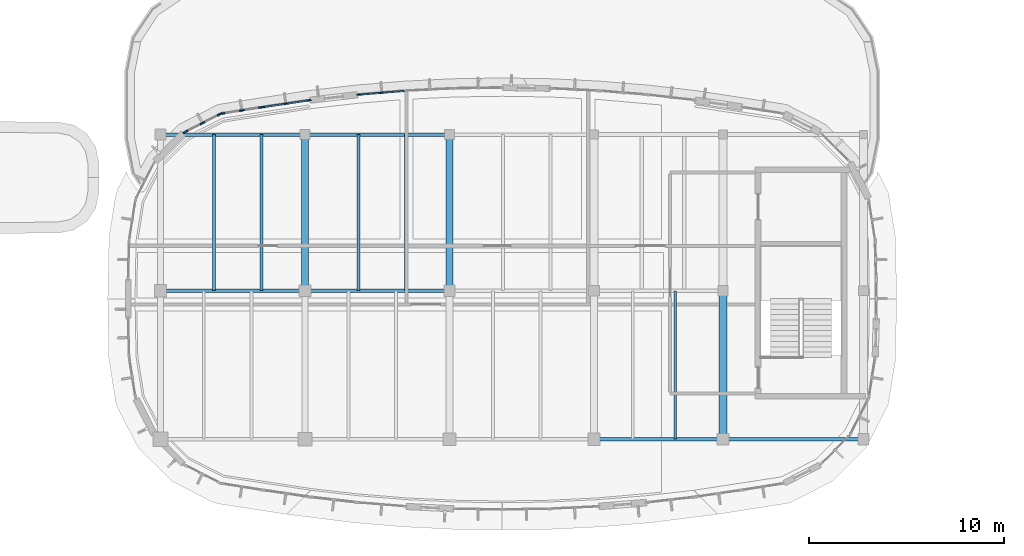
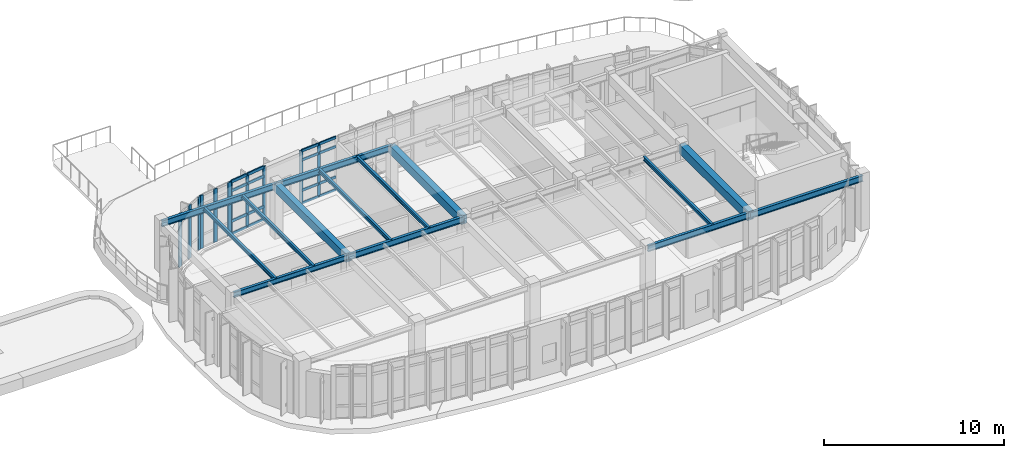
# One storey, part 30 of 111: 27 members, 14 beams, 4 elements without a shape of their own.
"""IFC4 building model written with IfcOpenShell, lengths in metres."""

from ifc_helpers import new_model, si_unit, direction, frame, origin, origin_2d, place, context, subcontext, project, spatial, rectangle, i_section, extrude, material, material_profile, profile_set, type_object, element, aggregate, save


model = new_model("IFC4")

# Units and contexts
model_context = context("Model", 3, precision=1e-05, world=origin(), true_north=direction((0.0, 1.0)))
body_context = subcontext(model_context, "Body", "Model", "MODEL_VIEW")
ifc_project = project(units=[si_unit("LENGTHUNIT", "METRE"), si_unit("AREAUNIT", "SQUARE_METRE"), si_unit("VOLUMEUNIT", "CUBIC_METRE"), si_unit("PLANEANGLEUNIT", "RADIAN"), si_unit("MASSUNIT", "GRAM", prefix="KILO")], contexts=[model_context])

# Site, building, storey
site_placement = place(None, origin())
site = spatial("IfcSite", under=ifc_project, at=site_placement, CompositionType="ELEMENT")
building_placement = place(site_placement, origin())
building = spatial("IfcBuilding", under=site, at=building_placement, Name="Corveleigh Park Community Centre", CompositionType="ELEMENT")
storey_placement = place(building_placement, frame((0.0, 0.0, 4.800048828125)))
storey = spatial("IfcBuildingStorey", under=building, at=storey_placement, Name="L01", CompositionType="ELEMENT", Elevation=4.800048828125)

# Beams
ifc_material_1 = material(Name="Concrete C40/50", Category="concrete")
ifc_material_profile_1 = material_profile(ifc_material_1, rectangle(XDim=0.35009765625, YDim=0.550048828125, at=origin_2d()), Name="RC-350x550", Category="concrete")
ifc_profile_set_1 = profile_set([ifc_material_profile_1], Name="Concrete C40/50")
beam_type_1 = type_object("IfcBeamType", Name="BM-RC-350x550", PredefinedType="BEAM", material=ifc_profile_set_1)
beam_1_placement = place(storey_placement, frame((79.39990234375, 18.804931640625, 3.3818359375), z_axis=(0.0, 1.0, 0.0), x_axis=(-1.0, 0.0, 0.0)))
element("IfcBeam", 1, at=beam_1_placement, inside=storey, type_object=beam_type_1, Name="V3 Girder Y", PredefinedType="BEAM", context=body_context, shape_type="SweptSolid", body=[
    extrude(rectangle(XDim=0.35009765625, YDim=0.550048828125, at=origin_2d()), origin(), (0.0, 0.0, 1.0), 7.989990234375),
])
ifc_material_profile_2 = material_profile(ifc_material_1, rectangle(XDim=0.375, YDim=0.574951171875, at=origin_2d()), Name="RC-375x575", Category="concrete")
ifc_profile_set_2 = profile_set([ifc_material_profile_2], Name="Concrete C40/50")
beam_type_2 = type_object("IfcBeamType", Name="BM-RC-375x575", PredefinedType="BEAM", material=ifc_profile_set_2)
beam_2_placement = place(storey_placement, frame((86.800048828125, 18.804931640625, 3.369384765625), z_axis=(0.0, 1.0, 0.0), x_axis=(-1.0, 0.0, 0.0)))
element("IfcBeam", 2, at=beam_2_placement, inside=storey, type_object=beam_type_2, Name="V3 Girder Y", PredefinedType="BEAM", context=body_context, shape_type="SweptSolid", body=[
    extrude(rectangle(XDim=0.375, YDim=0.574951171875, at=origin_2d()), origin(), (0.0, 0.0, 1.0), 7.989990234375),
])
ifc_material_profile_3 = material_profile(ifc_material_1, rectangle(XDim=0.39990234375, YDim=0.60009765625, at=origin_2d()), Name="RC-400x600", Category="concrete")
ifc_profile_set_3 = profile_set([ifc_material_profile_3], Name="Concrete C40/50")
beam_type_3 = type_object("IfcBeamType", Name="BM-RC-400x600", PredefinedType="BEAM", material=ifc_profile_set_3)
beam_3_placement = place(storey_placement, frame((100.800048828125, 11.205078125, 3.35693359375), z_axis=(0.0, 1.0, 0.0), x_axis=(-1.0, 0.0, 0.0)))
element("IfcBeam", 3, at=beam_3_placement, inside=storey, type_object=beam_type_3, Name="V3 Girder Y", PredefinedType="BEAM", context=body_context, shape_type="SweptSolid", body=[
    extrude(rectangle(XDim=0.39990234375, YDim=0.60009765625, at=origin_2d()), origin(), (0.0, 0.0, 1.0), 7.58984375),
])
ifc_material_2 = material(Name="Steel S355", Category="steel")
ifc_material_profile_4 = material_profile(ifc_material_2, i_section(OverallWidth=0.14599609375, OverallDepth=0.25146484375, WebThickness=0.006103515625, FlangeThickness=0.008544921875, at=origin_2d()), Name="UKB 254x146x31", Category="steel")
ifc_profile_set_4 = profile_set([ifc_material_profile_4], Name="Steel S355")
beam_type_4 = type_object("IfcBeamType", Name="BM-STL-UKB254x31", PredefinedType="JOIST", material=ifc_profile_set_4)
for number, where, z_axis, x_axis, name in (
    (4, (74.738037109375, 18.804931640625, 3.53125), (0.0, 1.0, 0.0), (-1.0, 0.0, 0.0), "Secondary floor joist"),
    (5, (77.179931640625, 18.804931640625, 3.53125), (0.0, 1.0, 0.0), (-1.0, 0.0, 0.0), "Secondary floor joist"),
):
    element("IfcBeam", number, at=place(storey_placement, frame(where, z_axis=z_axis, x_axis=x_axis)), inside=storey, type_object=beam_type_4, Name=name, PredefinedType="JOIST", context=body_context, shape_type="SweptSolid", body=[
        extrude(i_section(OverallWidth=0.14599609375, OverallDepth=0.25146484375, WebThickness=0.006103515625, FlangeThickness=0.008544921875, at=origin_2d()), origin(), (0.0, 0.0, 1.0), 7.989990234375),
    ])
ifc_material_profile_5 = material_profile(ifc_material_2, i_section(OverallWidth=0.146484375, OverallDepth=0.256103515625, WebThickness=0.00634765625, FlangeThickness=0.010986328125, at=origin_2d()), Name="UKB 254x146x37", Category="steel")
ifc_profile_set_5 = profile_set([ifc_material_profile_5], Name="Steel S355")
beam_type_5 = type_object("IfcBeamType", Name="BM-STL-UKB254x37", PredefinedType="JOIST", material=ifc_profile_set_5)
for number, where, z_axis, x_axis, name in (
    (6, (82.137939453125, 18.804931640625, 3.529052734375), (0.0, 1.0, 0.0), (-1.0, 0.0, 0.0), "Secondary floor joist"),
    (7, (84.580078125, 18.804931640625, 3.529052734375), (0.0, 1.0, 0.0), (-1.0, 0.0, 0.0), "Secondary floor joist"),
):
    element("IfcBeam", number, at=place(storey_placement, frame(where, z_axis=z_axis, x_axis=x_axis)), inside=storey, type_object=beam_type_5, Name=name, PredefinedType="JOIST", context=body_context, shape_type="SweptSolid", body=[
        extrude(i_section(OverallWidth=0.146484375, OverallDepth=0.256103515625, WebThickness=0.00634765625, FlangeThickness=0.010986328125, at=origin_2d()), origin(), (0.0, 0.0, 1.0), 7.989990234375),
    ])
ifc_material_profile_6 = material_profile(ifc_material_2, i_section(OverallWidth=0.147216796875, OverallDepth=0.259521484375, WebThickness=0.007080078125, FlangeThickness=0.0126953125, at=origin_2d()), Name="UKB 254x146x43", Category="steel")
ifc_profile_set_6 = profile_set([ifc_material_profile_6], Name="Steel S355")
beam_type_6 = type_object("IfcBeamType", Name="BM-STL-UKB254x43", PredefinedType="JOIST", material=ifc_profile_set_6)
beam_4_placement = place(storey_placement, frame((98.35791015625, 11.205078125, 3.527099609375), z_axis=(0.0, 1.0, 0.0), x_axis=(-1.0, 0.0, 0.0)))
element("IfcBeam", 8, at=beam_4_placement, inside=storey, type_object=beam_type_6, Name="Secondary floor joist", PredefinedType="JOIST", context=body_context, shape_type="SweptSolid", body=[
    extrude(i_section(OverallWidth=0.147216796875, OverallDepth=0.259521484375, WebThickness=0.007080078125, FlangeThickness=0.0126953125, at=origin_2d()), origin(), (0.0, 0.0, 1.0), 7.58984375),
])
ifc_material_profile_7 = material_profile(ifc_material_2, i_section(OverallWidth=0.173095703125, OverallDepth=0.36328125, WebThickness=0.009033203125, FlangeThickness=0.015625, at=origin_2d()), Name="UKB 356x171x67", Category="steel")
ifc_profile_set_7 = profile_set([ifc_material_profile_7], Name="Steel S355")
beam_type_7 = type_object("IfcBeamType", Name="BM-STL-UKB356x67", PredefinedType="BEAM", material=ifc_profile_set_7)
beam_5_placement = place(storey_placement, frame((72.0048828125, 18.800048828125, 3.475341796875), z_axis=(1.0, 0.0, 0.0), x_axis=(0.0, 1.0, 0.0)))
element("IfcBeam", 9, at=beam_5_placement, inside=storey, type_object=beam_type_7, Name="V3 Girder X", PredefinedType="BEAM", context=body_context, shape_type="SweptSolid", body=[
    extrude(i_section(OverallWidth=0.173095703125, OverallDepth=0.36328125, WebThickness=0.009033203125, FlangeThickness=0.015625, at=origin_2d()), origin(), (0.0, 0.0, 1.0), 7.39013671875),
])
ifc_material_profile_8 = material_profile(ifc_material_2, i_section(OverallWidth=0.177978515625, OverallDepth=0.406494140625, WebThickness=0.0078125, FlangeThickness=0.0126953125, at=origin_2d()), Name="UKB 406x178x60", Category="steel")
ifc_profile_set_8 = profile_set([ifc_material_profile_8], Name="Steel S355")
beam_type_8 = type_object("IfcBeamType", Name="BM-STL-UKB406x60", PredefinedType="BEAM", material=ifc_profile_set_8)
beam_6_placement = place(storey_placement, frame((79.405029296875, 18.800048828125, 3.453857421875), z_axis=(1.0, 0.0, 0.0), x_axis=(0.0, 1.0, 0.0)))
element("IfcBeam", 10, at=beam_6_placement, inside=storey, type_object=beam_type_8, Name="V3 Girder X", PredefinedType="BEAM", context=body_context, shape_type="SweptSolid", body=[
    extrude(i_section(OverallWidth=0.177978515625, OverallDepth=0.406494140625, WebThickness=0.0078125, FlangeThickness=0.0126953125, at=origin_2d()), origin(), (0.0, 0.0, 1.0), 7.389892578125),
])
beam_7_placement = place(storey_placement, frame((72.0048828125, 26.800048828125, 3.453857421875), z_axis=(1.0, 0.0, 0.0), x_axis=(0.0, 1.0, 0.0)))
element("IfcBeam", 11, at=beam_7_placement, inside=storey, type_object=beam_type_8, Name="V3 Girder X", PredefinedType="BEAM", context=body_context, shape_type="SweptSolid", body=[
    extrude(i_section(OverallWidth=0.177978515625, OverallDepth=0.406494140625, WebThickness=0.0078125, FlangeThickness=0.0126953125, at=origin_2d()), origin(), (0.0, 0.0, 1.0), 7.39013671875),
])
ifc_material_profile_9 = material_profile(ifc_material_2, i_section(OverallWidth=0.1787109375, OverallDepth=0.409423828125, WebThickness=0.0087890625, FlangeThickness=0.014404296875, at=origin_2d()), Name="UKB 406x178x67", Category="steel")
ifc_profile_set_9 = profile_set([ifc_material_profile_9], Name="Steel S355")
beam_type_9 = type_object("IfcBeamType", Name="BM-STL-UKB406x67", PredefinedType="BEAM", material=ifc_profile_set_9)
beam_8_placement = place(storey_placement, frame((94.205078125, 11.199951171875, 3.4521484375), z_axis=(1.0, 0.0, 0.0), x_axis=(0.0, 1.0, 0.0)))
element("IfcBeam", 12, at=beam_8_placement, inside=storey, type_object=beam_type_9, Name="V3 Girder X", PredefinedType="BEAM", context=body_context, shape_type="SweptSolid", body=[
    extrude(i_section(OverallWidth=0.1787109375, OverallDepth=0.409423828125, WebThickness=0.0087890625, FlangeThickness=0.014404296875, at=origin_2d()), origin(), (0.0, 0.0, 1.0), 6.58984375),
])
beam_9_placement = place(storey_placement, frame((79.405029296875, 26.800048828125, 3.4521484375), z_axis=(1.0, 0.0, 0.0), x_axis=(0.0, 1.0, 0.0)))
element("IfcBeam", 13, at=beam_9_placement, inside=storey, type_object=beam_type_9, Name="V3 Girder X", PredefinedType="BEAM", context=body_context, shape_type="SweptSolid", body=[
    extrude(i_section(OverallWidth=0.1787109375, OverallDepth=0.409423828125, WebThickness=0.0087890625, FlangeThickness=0.014404296875, at=origin_2d()), origin(), (0.0, 0.0, 1.0), 7.389892578125),
])
ifc_material_profile_10 = material_profile(ifc_material_2, i_section(OverallWidth=0.179443359375, OverallDepth=0.412841796875, WebThickness=0.009521484375, FlangeThickness=0.01611328125, at=origin_2d()), Name="UKB 406x178x74", Category="steel")
ifc_profile_set_10 = profile_set([ifc_material_profile_10], Name="Steel S355")
beam_type_10 = type_object("IfcBeamType", Name="BM-STL-UKB406x74", PredefinedType="BEAM", material=ifc_profile_set_10)
beam_10_placement = place(storey_placement, frame((100.804931640625, 11.199951171875, 3.41357421875), z_axis=(1.0, 0.0, 0.0), x_axis=(0.0, 1.0, 0.0)))
element("IfcBeam", 14, at=beam_10_placement, inside=storey, type_object=beam_type_10, Name="V3 Girder X", PredefinedType="BEAM", context=body_context, shape_type="SweptSolid", body=[
    extrude(i_section(OverallWidth=0.179443359375, OverallDepth=0.412841796875, WebThickness=0.009521484375, FlangeThickness=0.01611328125, at=origin_2d()), origin(), (0.0, 0.0, 1.0), 7.190185546875),
])

# Curtain wall, members
ifc_material_3 = material(Name="Anodised aluminium 6063-T6", Category="aluminium")
curtain_wall_type = type_object("IfcCurtainWallType", Name="CW-SYS-V3-UPP", PredefinedType="NOTDEFINED", material=ifc_material_3)
curtain_wall_1_placement = place(storey_placement, origin())
curtain_wall_1 = element("IfcCurtainWall", 15, at=curtain_wall_1_placement, inside=storey, type_object=curtain_wall_type, Name="V3 L01 Curtain Wall 249", PredefinedType="NOTDEFINED")
ifc_material_profile_11 = material_profile(ifc_material_3, rectangle(XDim=0.070068359375, YDim=0.199951171875, at=origin_2d()), Name="ALU-M70x200", Category="aluminium")
ifc_profile_set_11 = profile_set([ifc_material_profile_11], Name="Anodised aluminium 6063-T6")
member_type_1 = type_object("IfcMemberType", Name="CWM-70x200", PredefinedType="MULLION", material=ifc_profile_set_11)
member_1_placement = place(storey_placement, frame((82.142822265625, 28.845947265625, 0.0), z_axis=(0.0, 0.0, 1.0), x_axis=(-0.081122341986, 0.996704151507, 0.0)))
member_1 = element("IfcMember", 16, at=member_1_placement, type_object=member_type_1, Name="CW06 mullion 1", PredefinedType="MULLION", context=body_context, shape_type="SweptSolid", body=[
    extrude(rectangle(XDim=0.070068359375, YDim=0.199951171875, at=origin_2d()), origin(), (0.0, 0.0, 1.0), 3.612060546875),
])
member_2_placement = place(storey_placement, frame((83.33056640625, 28.9423828125, 0.0), z_axis=(0.0, 0.0, 1.0), x_axis=(-0.081122341986, 0.996704151507, 0.0)))
member_2 = element("IfcMember", 17, at=member_2_placement, type_object=member_type_1, Name="CW06 mullion 2", PredefinedType="MULLION", context=body_context, shape_type="SweptSolid", body=[
    extrude(rectangle(XDim=0.070068359375, YDim=0.199951171875, at=origin_2d()), origin(), (0.0, 0.0, 1.0), 3.612060546875),
])

curtain_wall_2_placement = place(storey_placement, origin())
curtain_wall_2 = element("IfcCurtainWall", 18, at=curtain_wall_2_placement, inside=storey, type_object=curtain_wall_type, Name="V3 L01 Curtain Wall 250", PredefinedType="NOTDEFINED")
ifc_material_profile_12 = material_profile(ifc_material_3, rectangle(XDim=0.074951171875, YDim=0.219970703125, at=origin_2d()), Name="ALU-M75x220", Category="aluminium")
ifc_profile_set_12 = profile_set([ifc_material_profile_12], Name="Anodised aluminium 6063-T6")
member_type_2 = type_object("IfcMemberType", Name="CWM-75x220", PredefinedType="MULLION", material=ifc_profile_set_12)
member_3_placement = place(storey_placement, frame((77.244140625, 28.20654296875, 0.0), z_axis=(0.0, 0.0, 1.0), x_axis=(-0.146268101327, 0.989244986105, 0.0)))
member_3 = element("IfcMember", 19, at=member_3_placement, type_object=member_type_2, Name="CW06 mullion 1", PredefinedType="MULLION", context=body_context, shape_type="SweptSolid", body=[
    extrude(rectangle(XDim=0.074951171875, YDim=0.219970703125, at=origin_2d()), origin(), (0.0, 0.0, 1.0), 3.612060546875),
])
member_4_placement = place(storey_placement, frame((78.4208984375, 28.380615234375, 0.0), z_axis=(0.0, 0.0, 1.0), x_axis=(-0.146268101327, 0.989244986105, 0.0)))
member_4 = element("IfcMember", 20, at=member_4_placement, type_object=member_type_2, Name="CW06 mullion 2", PredefinedType="MULLION", context=body_context, shape_type="SweptSolid", body=[
    extrude(rectangle(XDim=0.074951171875, YDim=0.219970703125, at=origin_2d()), origin(), (0.0, 0.0, 1.0), 3.612060546875),
])
member_5_placement = place(storey_placement, frame((79.597900390625, 28.554443359375, 0.0), z_axis=(0.0, 0.0, 1.0), x_axis=(-0.146268101327, 0.989244986105, 0.0)))
member_5 = element("IfcMember", 21, at=member_5_placement, type_object=member_type_2, Name="CW06 mullion 3", PredefinedType="MULLION", context=body_context, shape_type="SweptSolid", body=[
    extrude(rectangle(XDim=0.074951171875, YDim=0.219970703125, at=origin_2d()), origin(), (0.0, 0.0, 1.0), 3.612060546875),
])

curtain_wall_3_placement = place(storey_placement, origin())
curtain_wall_3 = element("IfcCurtainWall", 22, at=curtain_wall_3_placement, inside=storey, type_object=curtain_wall_type, Name="V3 L01 Curtain Wall 251", PredefinedType="NOTDEFINED")
ifc_material_profile_13 = material_profile(ifc_material_3, rectangle(XDim=0.080078125, YDim=0.25, at=origin_2d()), Name="ALU-M80x250", Category="aluminium")
ifc_profile_set_13 = profile_set([ifc_material_profile_13], Name="Anodised aluminium 6063-T6")
member_type_3 = type_object("IfcMemberType", Name="CWM-80x250", PredefinedType="MULLION", material=ifc_profile_set_13)
member_6_placement = place(storey_placement, frame((75.176513671875, 27.879150390625, 0.0), z_axis=(0.0, 0.0, 1.0), x_axis=(-0.156603912946, 0.987661487783, 0.0)))
member_6 = element("IfcMember", 23, at=member_6_placement, type_object=member_type_3, Name="CW06 mullion 1", PredefinedType="MULLION", context=body_context, shape_type="SweptSolid", body=[
    extrude(rectangle(XDim=0.080078125, YDim=0.25, at=origin_2d()), origin(), (0.0, 0.0, 1.0), 3.612060546875),
])
member_7_placement = place(storey_placement, frame((76.1650390625, 28.035888671875, 0.0), z_axis=(0.0, 0.0, 1.0), x_axis=(-0.156603912946, 0.987661487783, 0.0)))
member_7 = element("IfcMember", 24, at=member_7_placement, type_object=member_type_3, Name="CW06 mullion 2", PredefinedType="MULLION", context=body_context, shape_type="SweptSolid", body=[
    extrude(rectangle(XDim=0.080078125, YDim=0.25, at=origin_2d()), origin(), (0.0, 0.0, 1.0), 3.612060546875),
])
member_8_placement = place(storey_placement, frame((77.153564453125, 28.192626953125, 0.0), z_axis=(0.0, 0.0, 1.0), x_axis=(-0.156603912946, 0.987661487783, 0.0)))
member_8 = element("IfcMember", 25, at=member_8_placement, type_object=member_type_3, Name="CW06 mullion 3", PredefinedType="MULLION", context=body_context, shape_type="SweptSolid", body=[
    extrude(rectangle(XDim=0.080078125, YDim=0.25, at=origin_2d()), origin(), (0.0, 0.0, 1.0), 3.612060546875),
])
aggregate(curtain_wall_3, [member_6, member_7, member_8])

curtain_wall_4_placement = place(storey_placement, origin())
curtain_wall_4 = element("IfcCurtainWall", 26, at=curtain_wall_4_placement, inside=storey, type_object=curtain_wall_type, Name="V3 L01 Curtain Wall 252", PredefinedType="NOTDEFINED")
ifc_material_profile_14 = material_profile(ifc_material_3, rectangle(XDim=0.0849609375, YDim=0.27490234375, at=origin_2d()), Name="ALU-M85x275", Category="aluminium")
ifc_profile_set_14 = profile_set([ifc_material_profile_14], Name="Anodised aluminium 6063-T6")
member_type_4 = type_object("IfcMemberType", Name="CWM-85x275", PredefinedType="MULLION", material=ifc_profile_set_14)
member_9_placement = place(storey_placement, frame((73.27490234375, 26.937255859375, 0.0), z_axis=(0.0, 0.0, 1.0), x_axis=(-0.454217786228, 0.890890679418, 0.0)))
member_9 = element("IfcMember", 27, at=member_9_placement, type_object=member_type_4, Name="CW06 mullion 1", PredefinedType="MULLION", context=body_context, shape_type="SweptSolid", body=[
    extrude(rectangle(XDim=0.0849609375, YDim=0.27490234375, at=origin_2d()), origin(), (0.0, 0.0, 1.0), 3.612060546875),
])
member_10_placement = place(storey_placement, frame((74.15087890625, 27.384033203125, 0.0), z_axis=(0.0, 0.0, 1.0), x_axis=(-0.454217786228, 0.890890679418, 0.0)))
member_10 = element("IfcMember", 28, at=member_10_placement, type_object=member_type_4, Name="CW06 mullion 2", PredefinedType="MULLION", context=body_context, shape_type="SweptSolid", body=[
    extrude(rectangle(XDim=0.0849609375, YDim=0.27490234375, at=origin_2d()), origin(), (0.0, 0.0, 1.0), 3.612060546875),
])
member_11_placement = place(storey_placement, frame((75.027099609375, 27.830810546875, 0.0), z_axis=(0.0, 0.0, 1.0), x_axis=(-0.454217786228, 0.890890679418, 0.0)))
member_11 = element("IfcMember", 29, at=member_11_placement, type_object=member_type_4, Name="CW06 mullion 3", PredefinedType="MULLION", context=body_context, shape_type="SweptSolid", body=[
    extrude(rectangle(XDim=0.0849609375, YDim=0.27490234375, at=origin_2d()), origin(), (0.0, 0.0, 1.0), 3.612060546875),
])
aggregate(curtain_wall_4, [member_9, member_10, member_11])

# Member
ifc_material_profile_15 = material_profile(ifc_material_3, rectangle(XDim=0.074951171875, YDim=0.175048828125, at=origin_2d()), Name="ALU-T75x175", Category="aluminium")
ifc_profile_set_15 = profile_set([ifc_material_profile_15], Name="Anodised aluminium 6063-T6")
member_type_5 = type_object("IfcMemberType", Name="CWT-75x175", PredefinedType="USERDEFINED", material=ifc_profile_set_15)
member_12_placement = place(storey_placement, frame((82.177734375, 28.8486328125, 0.037353515625), z_axis=(0.996698649827, 0.081189909671, 0.0), x_axis=(-0.081189909671, 0.996698649827, 0.0)))
member_12 = element("IfcMember", 30, at=member_12_placement, type_object=member_type_5, Name="CW06 transom 1.1", ObjectType="TRANSOM", PredefinedType="USERDEFINED", context=body_context, shape_type="SweptSolid", body=[
    extrude(rectangle(XDim=0.074951171875, YDim=0.175048828125, at=origin_2d()), origin(), (0.0, 0.0, 1.0), 1.12158203125),
])

member_13_placement = place(storey_placement, frame((82.177734375, 28.8486328125, 0.89990234375), z_axis=(0.996698649827, 0.081189909671, 0.0), x_axis=(-0.081189909671, 0.996698649827, 0.0)))
member_13 = element("IfcMember", 31, at=member_13_placement, type_object=member_type_5, Name="CW06 transom 1.2", ObjectType="TRANSOM", PredefinedType="USERDEFINED", context=body_context, shape_type="SweptSolid", body=[
    extrude(rectangle(XDim=0.074951171875, YDim=0.175048828125, at=origin_2d()), origin(), (0.0, 0.0, 1.0), 1.12158203125),
])

member_14_placement = place(storey_placement, frame((82.177734375, 28.8486328125, 2.9619140625), z_axis=(0.996698649827, 0.081189909671, 0.0), x_axis=(-0.081189909671, 0.996698649827, 0.0)))
member_14 = element("IfcMember", 32, at=member_14_placement, type_object=member_type_5, Name="CW06 transom 1.3", ObjectType="TRANSOM", PredefinedType="USERDEFINED", context=body_context, shape_type="SweptSolid", body=[
    extrude(rectangle(XDim=0.074951171875, YDim=0.175048828125, at=origin_2d()), origin(), (0.0, 0.0, 1.0), 1.12158203125),
])

member_15_placement = place(storey_placement, frame((82.177734375, 28.8486328125, 3.574462890625), z_axis=(0.996698649827, 0.081189909671, 0.0), x_axis=(-0.081189909671, 0.996698649827, 0.0)))
member_15 = element("IfcMember", 33, at=member_15_placement, type_object=member_type_5, Name="CW06 transom 1.4", ObjectType="TRANSOM", PredefinedType="USERDEFINED", context=body_context, shape_type="SweptSolid", body=[
    extrude(rectangle(XDim=0.074951171875, YDim=0.175048828125, at=origin_2d()), origin(), (0.0, 0.0, 1.0), 1.12158203125),
])

member_16_placement = place(storey_placement, frame((83.365478515625, 28.9453125, 0.037353515625), z_axis=(0.99669721454, 0.081207527528, 0.0), x_axis=(-0.081207527528, 0.99669721454, 0.0)))
member_16 = element("IfcMember", 34, at=member_16_placement, type_object=member_type_5, Name="CW06 transom 2.1", ObjectType="TRANSOM", PredefinedType="USERDEFINED", context=body_context, shape_type="SweptSolid", body=[
    extrude(rectangle(XDim=0.074951171875, YDim=0.175048828125, at=origin_2d()), origin(), (0.0, 0.0, 1.0), 1.121337890625),
])

member_17_placement = place(storey_placement, frame((83.365478515625, 28.9453125, 0.89990234375), z_axis=(0.99669721454, 0.081207527528, 0.0), x_axis=(-0.081207527528, 0.99669721454, 0.0)))
member_17 = element("IfcMember", 35, at=member_17_placement, type_object=member_type_5, Name="CW06 transom 2.2", ObjectType="TRANSOM", PredefinedType="USERDEFINED", context=body_context, shape_type="SweptSolid", body=[
    extrude(rectangle(XDim=0.074951171875, YDim=0.175048828125, at=origin_2d()), origin(), (0.0, 0.0, 1.0), 1.121337890625),
])

member_18_placement = place(storey_placement, frame((83.365478515625, 28.9453125, 2.9619140625), z_axis=(0.99669721454, 0.081207527528, 0.0), x_axis=(-0.081207527528, 0.99669721454, 0.0)))
member_18 = element("IfcMember", 36, at=member_18_placement, type_object=member_type_5, Name="CW06 transom 2.3", ObjectType="TRANSOM", PredefinedType="USERDEFINED", context=body_context, shape_type="SweptSolid", body=[
    extrude(rectangle(XDim=0.074951171875, YDim=0.175048828125, at=origin_2d()), origin(), (0.0, 0.0, 1.0), 1.121337890625),
])

member_19_placement = place(storey_placement, frame((83.365478515625, 28.9453125, 3.574462890625), z_axis=(0.99669721454, 0.081207527528, 0.0), x_axis=(-0.081207527528, 0.99669721454, 0.0)))
member_19 = element("IfcMember", 37, at=member_19_placement, type_object=member_type_5, Name="CW06 transom 2.4", ObjectType="TRANSOM", PredefinedType="USERDEFINED", context=body_context, shape_type="SweptSolid", body=[
    extrude(rectangle(XDim=0.074951171875, YDim=0.175048828125, at=origin_2d()), origin(), (0.0, 0.0, 1.0), 1.121337890625),
])

aggregate(curtain_wall_1, [member_1, member_2, member_12, member_13, member_14, member_15, member_16, member_17, member_18, member_19])

ifc_material_profile_16 = material_profile(ifc_material_3, rectangle(XDim=0.080078125, YDim=0.195068359375, at=origin_2d()), Name="ALU-T80x195", Category="aluminium")
ifc_profile_set_16 = profile_set([ifc_material_profile_16], Name="Anodised aluminium 6063-T6")
member_type_6 = type_object("IfcMemberType", Name="CWT-80x195", PredefinedType="USERDEFINED", material=ifc_profile_set_16)
member_20_placement = place(storey_placement, frame((77.28125, 28.2119140625, 0.0400390625), z_axis=(0.989236368604, 0.146326371618, 0.0), x_axis=(-0.146326371618, 0.989236368604, 0.0)))
member_20 = element("IfcMember", 38, at=member_20_placement, type_object=member_type_6, Name="CW06 transom 1.1", ObjectType="TRANSOM", PredefinedType="USERDEFINED", context=body_context, shape_type="SweptSolid", body=[
    extrude(rectangle(XDim=0.080078125, YDim=0.195068359375, at=origin_2d()), origin(), (0.0, 0.0, 1.0), 1.114501953125),
])

member_21_placement = place(storey_placement, frame((77.28125, 28.2119140625, 0.89990234375), z_axis=(0.989236368604, 0.146326371618, 0.0), x_axis=(-0.146326371618, 0.989236368604, 0.0)))
member_21 = element("IfcMember", 39, at=member_21_placement, type_object=member_type_6, Name="CW06 transom 1.2", ObjectType="TRANSOM", PredefinedType="USERDEFINED", context=body_context, shape_type="SweptSolid", body=[
    extrude(rectangle(XDim=0.080078125, YDim=0.195068359375, at=origin_2d()), origin(), (0.0, 0.0, 1.0), 1.114501953125),
])

member_22_placement = place(storey_placement, frame((77.28125, 28.2119140625, 2.9619140625), z_axis=(0.989236368604, 0.146326371618, 0.0), x_axis=(-0.146326371618, 0.989236368604, 0.0)))
member_22 = element("IfcMember", 40, at=member_22_placement, type_object=member_type_6, Name="CW06 transom 1.3", ObjectType="TRANSOM", PredefinedType="USERDEFINED", context=body_context, shape_type="SweptSolid", body=[
    extrude(rectangle(XDim=0.080078125, YDim=0.195068359375, at=origin_2d()), origin(), (0.0, 0.0, 1.0), 1.114501953125),
])

member_23_placement = place(storey_placement, frame((77.28125, 28.2119140625, 3.572021484375), z_axis=(0.989236368604, 0.146326371618, 0.0), x_axis=(-0.146326371618, 0.989236368604, 0.0)))
member_23 = element("IfcMember", 41, at=member_23_placement, type_object=member_type_6, Name="CW06 transom 1.4", ObjectType="TRANSOM", PredefinedType="USERDEFINED", context=body_context, shape_type="SweptSolid", body=[
    extrude(rectangle(XDim=0.080078125, YDim=0.195068359375, at=origin_2d()), origin(), (0.0, 0.0, 1.0), 1.114501953125),
])

member_24_placement = place(storey_placement, frame((78.4580078125, 28.385986328125, 0.0400390625), z_axis=(0.98924105728, 0.146294670415, 0.0), x_axis=(-0.146294670415, 0.98924105728, 0.0)))
member_24 = element("IfcMember", 42, at=member_24_placement, type_object=member_type_6, Name="CW06 transom 2.1", ObjectType="TRANSOM", PredefinedType="USERDEFINED", context=body_context, shape_type="SweptSolid", body=[
    extrude(rectangle(XDim=0.080078125, YDim=0.195068359375, at=origin_2d()), origin(), (0.0, 0.0, 1.0), 1.11474609375),
])

member_25_placement = place(storey_placement, frame((78.4580078125, 28.385986328125, 0.89990234375), z_axis=(0.98924105728, 0.146294670415, 0.0), x_axis=(-0.146294670415, 0.98924105728, 0.0)))
member_25 = element("IfcMember", 43, at=member_25_placement, type_object=member_type_6, Name="CW06 transom 2.2", ObjectType="TRANSOM", PredefinedType="USERDEFINED", context=body_context, shape_type="SweptSolid", body=[
    extrude(rectangle(XDim=0.080078125, YDim=0.195068359375, at=origin_2d()), origin(), (0.0, 0.0, 1.0), 1.11474609375),
])

member_26_placement = place(storey_placement, frame((78.4580078125, 28.385986328125, 2.9619140625), z_axis=(0.98924105728, 0.146294670415, 0.0), x_axis=(-0.146294670415, 0.98924105728, 0.0)))
member_26 = element("IfcMember", 44, at=member_26_placement, type_object=member_type_6, Name="CW06 transom 2.3", ObjectType="TRANSOM", PredefinedType="USERDEFINED", context=body_context, shape_type="SweptSolid", body=[
    extrude(rectangle(XDim=0.080078125, YDim=0.195068359375, at=origin_2d()), origin(), (0.0, 0.0, 1.0), 1.11474609375),
])

member_27_placement = place(storey_placement, frame((78.4580078125, 28.385986328125, 3.572021484375), z_axis=(0.98924105728, 0.146294670415, 0.0), x_axis=(-0.146294670415, 0.98924105728, 0.0)))
member_27 = element("IfcMember", 45, at=member_27_placement, type_object=member_type_6, Name="CW06 transom 2.4", ObjectType="TRANSOM", PredefinedType="USERDEFINED", context=body_context, shape_type="SweptSolid", body=[
    extrude(rectangle(XDim=0.080078125, YDim=0.195068359375, at=origin_2d()), origin(), (0.0, 0.0, 1.0), 1.11474609375),
])

aggregate(curtain_wall_2, [member_3, member_4, member_5, member_20, member_21, member_22, member_23, member_24, member_25, member_26, member_27])

save(model, "model.ifc")
